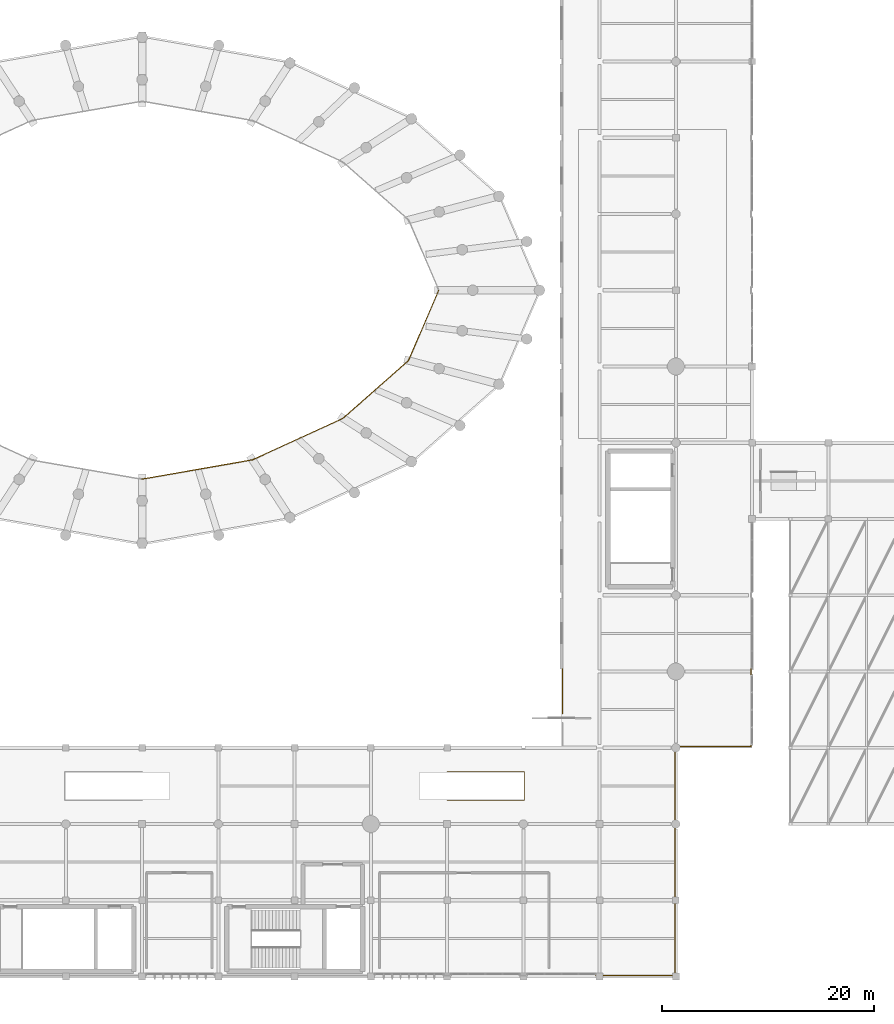
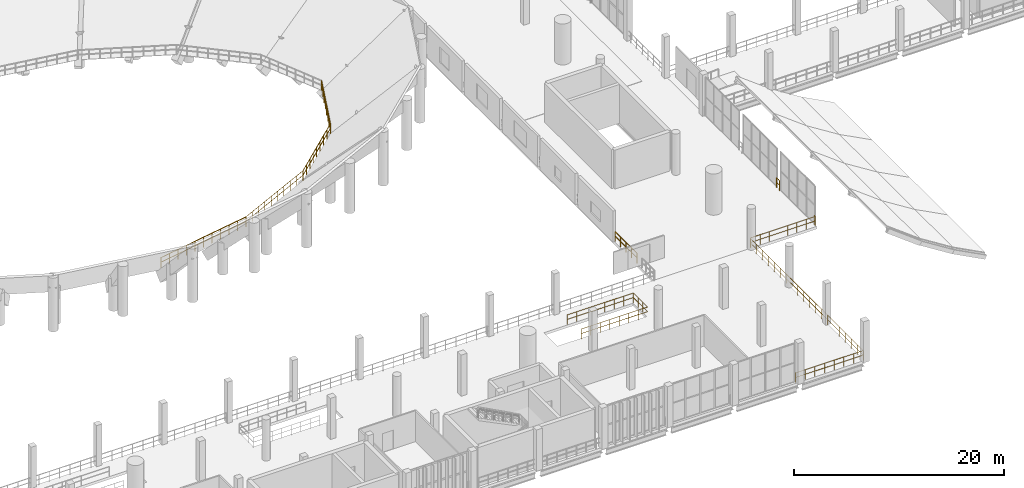
# One storey, part 95 of 105: 8 railings.
"""IFC4 building model written with IfcOpenShell, lengths in metres."""

from ifc_helpers import new_model, si_unit, direction, frame, origin, origin_2d, place, context, subcontext, project, spatial, circle, extrude, material, type_object, element, save


model = new_model("IFC4")

# Units and contexts
model_context = context("Model", 3, precision=1e-05, world=origin(), true_north=direction((0.0, 1.0)))
body_context = subcontext(model_context, "Body", "Model", "MODEL_VIEW")
ifc_project = project(units=[si_unit("LENGTHUNIT", "METRE"), si_unit("AREAUNIT", "SQUARE_METRE"), si_unit("VOLUMEUNIT", "CUBIC_METRE"), si_unit("PLANEANGLEUNIT", "RADIAN"), si_unit("MASSUNIT", "GRAM", prefix="KILO")], contexts=[model_context])

# Site, building, storey
site_placement = place(None, origin())
site = spatial("IfcSite", under=ifc_project, at=site_placement, CompositionType="ELEMENT")
building_placement = place(site_placement, origin())
building = spatial("IfcBuilding", under=site, at=building_placement, Name="Qandorah Velis Arena", CompositionType="ELEMENT")
storey_placement = place(building_placement, frame((0.0, 0.0, 13.800048828125)))
storey = spatial("IfcBuildingStorey", under=building, at=storey_placement, Name="L03", CompositionType="ELEMENT", Elevation=13.800048828125)

# Railings
ifc_material = material(Name="Stainless steel 316", Category="steel")
railing_type = type_object("IfcRailingType", Name="ARC-RL-GRD1150", PredefinedType="GUARDRAIL", material=ifc_material)
railing_1_placement = place(storey_placement, frame((93.60009765625, 19.35009765625, 0.0)))
element("IfcRailing", 1, at=railing_1_placement, inside=storey, type_object=railing_type, Name="Vomitory VS11 top well guardrail (L03)", PredefinedType="GUARDRAIL", context=body_context, shape_type="SweptSolid", body=[
    extrude(circle(Radius=0.02392578125, at=origin_2d()), frame((0.0, 0.0, 1.1259765625), z_axis=(1.0, 0.0, 0.0), x_axis=(0.0, 1.0, 0.0)), (0.0, 0.0, 1.0), 7.2998046875),
    extrude(circle(Radius=0.02392578125, at=origin_2d()), frame((0.0, 0.0, 0.597900390625), z_axis=(1.0, 0.0, 0.0), x_axis=(0.0, 1.0, 0.0)), (0.0, 0.0, 1.0), 7.2998046875),
    extrude(circle(Radius=0.02392578125, at=origin_2d()), frame((7.2998046875, 0.0, 1.1259765625), z_axis=(0.0, -1.0, 0.0), x_axis=(1.0, 0.0, 0.0)), (0.0, 0.0, 1.0), 2.7001953125),
    extrude(circle(Radius=0.02392578125, at=origin_2d()), frame((7.2998046875, 0.0, 0.597900390625), z_axis=(0.0, -1.0, 0.0), x_axis=(1.0, 0.0, 0.0)), (0.0, 0.0, 1.0), 2.7001953125),
    extrude(circle(Radius=0.02392578125, at=origin_2d()), frame((7.2998046875, -2.7001953125, 1.1259765625), z_axis=(-1.0, 0.0, 0.0), x_axis=(0.0, -1.0, 0.0)), (0.0, 0.0, 1.0), 7.2998046875),
    extrude(circle(Radius=0.02392578125, at=origin_2d()), frame((7.2998046875, -2.7001953125, 0.597900390625), z_axis=(-1.0, 0.0, 0.0), x_axis=(0.0, -1.0, 0.0)), (0.0, 0.0, 1.0), 7.2998046875),
    extrude(circle(Radius=0.02099609375, at=origin_2d()), origin(), (0.0, 0.0, 1.0), 1.101806640625),
    extrude(circle(Radius=0.02099609375, at=origin_2d()), frame((1.042724609375, 0.0, 0.0)), (0.0, 0.0, 1.0), 1.101806640625),
    extrude(circle(Radius=0.02099609375, at=origin_2d()), frame((2.085693359375, 0.0, 0.0)), (0.0, 0.0, 1.0), 1.101806640625),
    extrude(circle(Radius=0.02099609375, at=origin_2d()), frame((3.12841796875, 0.0, 0.0)), (0.0, 0.0, 1.0), 1.101806640625),
    extrude(circle(Radius=0.02099609375, at=origin_2d()), frame((4.17138671875, 0.0, 0.0)), (0.0, 0.0, 1.0), 1.101806640625),
    extrude(circle(Radius=0.02099609375, at=origin_2d()), frame((5.214111328125, 0.0, 0.0)), (0.0, 0.0, 1.0), 1.101806640625),
    extrude(circle(Radius=0.02099609375, at=origin_2d()), frame((6.257080078125, 0.0, 0.0)), (0.0, 0.0, 1.0), 1.101806640625),
    extrude(circle(Radius=0.02099609375, at=origin_2d()), frame((7.2998046875, 0.0, 0.0)), (0.0, 0.0, 1.0), 1.101806640625),
    extrude(circle(Radius=0.02099609375, at=origin_2d()), frame((7.2998046875, -0.900146484375, 0.0)), (0.0, 0.0, 1.0), 1.101806640625),
    extrude(circle(Radius=0.02099609375, at=origin_2d()), frame((7.2998046875, -1.800048828125, 0.0)), (0.0, 0.0, 1.0), 1.101806640625),
    extrude(circle(Radius=0.02099609375, at=origin_2d()), frame((7.2998046875, -2.7001953125, 0.0)), (0.0, 0.0, 1.0), 1.101806640625),
    extrude(circle(Radius=0.02099609375, at=origin_2d()), frame((6.257080078125, -2.7001953125, 0.0)), (0.0, 0.0, 1.0), 1.101806640625),
    extrude(circle(Radius=0.02099609375, at=origin_2d()), frame((5.214111328125, -2.7001953125, 0.0)), (0.0, 0.0, 1.0), 1.101806640625),
    extrude(circle(Radius=0.02099609375, at=origin_2d()), frame((4.17138671875, -2.7001953125, 0.0)), (0.0, 0.0, 1.0), 1.101806640625),
    extrude(circle(Radius=0.02099609375, at=origin_2d()), frame((3.12841796875, -2.7001953125, 0.0)), (0.0, 0.0, 1.0), 1.101806640625),
    extrude(circle(Radius=0.02099609375, at=origin_2d()), frame((2.085693359375, -2.7001953125, 0.0)), (0.0, 0.0, 1.0), 1.101806640625),
    extrude(circle(Radius=0.02099609375, at=origin_2d()), frame((1.042724609375, -2.7001953125, 0.0)), (0.0, 0.0, 1.0), 1.101806640625),
    extrude(circle(Radius=0.02099609375, at=origin_2d()), frame((0.0, -2.7001953125, 0.0)), (0.0, 0.0, 1.0), 1.101806640625),
])
railing_2_placement = place(storey_placement, frame((64.800048828125, 46.970947265625, 0.0)))
element("IfcRailing", 2, at=railing_2_placement, inside=storey, type_object=railing_type, Name="Upper seating tier front sightline guardrail 13", PredefinedType="GUARDRAIL", context=body_context, shape_type="SweptSolid", body=[
    extrude(circle(Radius=0.02392578125, at=origin_2d()), frame((0.0, 0.0, 1.1259765625), z_axis=(0.985138286341, 0.1717630833, 0.0), x_axis=(-0.1717630833, 0.985138286341, 0.0)), (0.0, 0.0, 1.0), 10.57373046875),
    extrude(circle(Radius=0.02392578125, at=origin_2d()), frame((0.0, 0.0, 0.597900390625), z_axis=(0.985138286341, 0.1717630833, 0.0), x_axis=(-0.1717630833, 0.985138286341, 0.0)), (0.0, 0.0, 1.0), 10.57373046875),
    extrude(circle(Radius=0.02099609375, at=origin_2d()), origin(), (0.0, 0.0, 1.0), 1.101806640625),
    extrude(circle(Radius=0.02099609375, at=origin_2d()), frame((1.041748046875, 0.181640625, 0.0)), (0.0, 0.0, 1.0), 1.101806640625),
    extrude(circle(Radius=0.02099609375, at=origin_2d()), frame((2.083251953125, 0.36328125, 0.0)), (0.0, 0.0, 1.0), 1.101806640625),
    extrude(circle(Radius=0.02099609375, at=origin_2d()), frame((3.125, 0.544921875, 0.0)), (0.0, 0.0, 1.0), 1.101806640625),
    extrude(circle(Radius=0.02099609375, at=origin_2d()), frame((4.16650390625, 0.7265625, 0.0)), (0.0, 0.0, 1.0), 1.101806640625),
    extrude(circle(Radius=0.02099609375, at=origin_2d()), frame((5.208251953125, 0.908203125, 0.0)), (0.0, 0.0, 1.0), 1.101806640625),
    extrude(circle(Radius=0.02099609375, at=origin_2d()), frame((6.25, 1.089599609375, 0.0)), (0.0, 0.0, 1.0), 1.101806640625),
    extrude(circle(Radius=0.02099609375, at=origin_2d()), frame((7.29150390625, 1.271240234375, 0.0)), (0.0, 0.0, 1.0), 1.101806640625),
    extrude(circle(Radius=0.02099609375, at=origin_2d()), frame((8.333251953125, 1.452880859375, 0.0)), (0.0, 0.0, 1.0), 1.101806640625),
    extrude(circle(Radius=0.02099609375, at=origin_2d()), frame((9.374755859375, 1.634521484375, 0.0)), (0.0, 0.0, 1.0), 1.101806640625),
    extrude(circle(Radius=0.02099609375, at=origin_2d()), frame((10.41650390625, 1.816162109375, 0.0)), (0.0, 0.0, 1.0), 1.101806640625),
])
railing_3_placement = place(storey_placement, frame((75.216552734375, 48.787109375, 0.0)))
element("IfcRailing", 3, at=railing_3_placement, inside=storey, type_object=railing_type, Name="Upper seating tier front sightline guardrail 14", PredefinedType="GUARDRAIL", context=body_context, shape_type="SweptSolid", body=[
    extrude(circle(Radius=0.02392578125, at=origin_2d()), frame((0.0, 0.0, 1.1259765625), z_axis=(0.90885322528, 0.417116068856, 0.0), x_axis=(-0.417116068856, 0.90885322528, 0.0)), (0.0, 0.0, 1.0), 9.41943359375),
    extrude(circle(Radius=0.02392578125, at=origin_2d()), frame((0.0, 0.0, 0.597900390625), z_axis=(0.90885322528, 0.417116068856, 0.0), x_axis=(-0.417116068856, 0.90885322528, 0.0)), (0.0, 0.0, 1.0), 9.41943359375),
    extrude(circle(Radius=0.02099609375, at=origin_2d()), origin(), (0.0, 0.0, 1.0), 1.101806640625),
    extrude(circle(Radius=0.02099609375, at=origin_2d()), frame((0.951171875, 0.4365234375, 0.0)), (0.0, 0.0, 1.0), 1.101806640625),
    extrude(circle(Radius=0.02099609375, at=origin_2d()), frame((1.90234375, 0.873046875, 0.0)), (0.0, 0.0, 1.0), 1.101806640625),
    extrude(circle(Radius=0.02099609375, at=origin_2d()), frame((2.853515625, 1.3095703125, 0.0)), (0.0, 0.0, 1.0), 1.101806640625),
    extrude(circle(Radius=0.02099609375, at=origin_2d()), frame((3.8046875, 1.74609375, 0.0)), (0.0, 0.0, 1.0), 1.101806640625),
    extrude(circle(Radius=0.02099609375, at=origin_2d()), frame((4.756103515625, 2.182861328125, 0.0)), (0.0, 0.0, 1.0), 1.101806640625),
    extrude(circle(Radius=0.02099609375, at=origin_2d()), frame((5.707275390625, 2.619384765625, 0.0)), (0.0, 0.0, 1.0), 1.101806640625),
    extrude(circle(Radius=0.02099609375, at=origin_2d()), frame((6.658447265625, 3.055908203125, 0.0)), (0.0, 0.0, 1.0), 1.101806640625),
    extrude(circle(Radius=0.02099609375, at=origin_2d()), frame((7.609619140625, 3.492431640625, 0.0)), (0.0, 0.0, 1.0), 1.101806640625),
    extrude(circle(Radius=0.02099609375, at=origin_2d()), frame((8.560791015625, 3.928955078125, 0.0)), (0.0, 0.0, 1.0), 1.101806640625),
])
railing_4_placement = place(storey_placement, frame((83.77734375, 52.716064453125, 0.0)))
element("IfcRailing", 4, at=railing_4_placement, inside=storey, type_object=railing_type, Name="Upper seating tier front sightline guardrail 15", PredefinedType="GUARDRAIL", context=body_context, shape_type="SweptSolid", body=[
    extrude(circle(Radius=0.02392578125, at=origin_2d()), frame((0.0, 0.0, 1.1259765625), z_axis=(0.749447464316, 0.662063817339, 0.0), x_axis=(-0.662063817339, 0.749447464316, 0.0)), (0.0, 0.0, 1.0), 8.233642578125),
    extrude(circle(Radius=0.02392578125, at=origin_2d()), frame((0.0, 0.0, 0.597900390625), z_axis=(0.749447464316, 0.662063817339, 0.0), x_axis=(-0.662063817339, 0.749447464316, 0.0)), (0.0, 0.0, 1.0), 8.233642578125),
    extrude(circle(Radius=0.02099609375, at=origin_2d()), origin(), (0.0, 0.0, 1.0), 1.101806640625),
    extrude(circle(Radius=0.02099609375, at=origin_2d()), frame((0.771240234375, 0.681396484375, 0.0)), (0.0, 0.0, 1.0), 1.101806640625),
    extrude(circle(Radius=0.02099609375, at=origin_2d()), frame((1.542724609375, 1.36279296875, 0.0)), (0.0, 0.0, 1.0), 1.101806640625),
    extrude(circle(Radius=0.02099609375, at=origin_2d()), frame((2.31396484375, 2.044189453125, 0.0)), (0.0, 0.0, 1.0), 1.101806640625),
    extrude(circle(Radius=0.02099609375, at=origin_2d()), frame((3.08544921875, 2.7255859375, 0.0)), (0.0, 0.0, 1.0), 1.101806640625),
    extrude(circle(Radius=0.02099609375, at=origin_2d()), frame((3.856689453125, 3.406982421875, 0.0)), (0.0, 0.0, 1.0), 1.101806640625),
    extrude(circle(Radius=0.02099609375, at=origin_2d()), frame((4.6279296875, 4.08837890625, 0.0)), (0.0, 0.0, 1.0), 1.101806640625),
    extrude(circle(Radius=0.02099609375, at=origin_2d()), frame((5.3994140625, 4.769775390625, 0.0)), (0.0, 0.0, 1.0), 1.101806640625),
    extrude(circle(Radius=0.02099609375, at=origin_2d()), frame((6.170654296875, 5.451171875, 0.0)), (0.0, 0.0, 1.0), 1.101806640625),
])
railing_5_placement = place(storey_placement, frame((89.947998046875, 58.167236328125, 0.0)))
element("IfcRailing", 5, at=railing_5_placement, inside=storey, type_object=railing_type, Name="Upper seating tier front sightline guardrail 16", PredefinedType="GUARDRAIL", context=body_context, shape_type="SweptSolid", body=[
    extrude(circle(Radius=0.02392578125, at=origin_2d()), frame((0.0, 0.0, 1.1259765625), z_axis=(0.395020901566, 0.91867213266, 0.0), x_axis=(-0.91867213266, 0.395020901566, 0.0)), (0.0, 0.0, 1.0), 7.219970703125),
    extrude(circle(Radius=0.02392578125, at=origin_2d()), frame((0.0, 0.0, 0.597900390625), z_axis=(0.395020901566, 0.91867213266, 0.0), x_axis=(-0.91867213266, 0.395020901566, 0.0)), (0.0, 0.0, 1.0), 7.219970703125),
    extrude(circle(Radius=0.02099609375, at=origin_2d()), origin(), (0.0, 0.0, 1.0), 1.101806640625),
    extrude(circle(Radius=0.02099609375, at=origin_2d()), frame((0.407470703125, 0.947509765625, 0.0)), (0.0, 0.0, 1.0), 1.101806640625),
    extrude(circle(Radius=0.02099609375, at=origin_2d()), frame((0.81494140625, 1.89501953125, 0.0)), (0.0, 0.0, 1.0), 1.101806640625),
    extrude(circle(Radius=0.02099609375, at=origin_2d()), frame((1.222412109375, 2.842529296875, 0.0)), (0.0, 0.0, 1.0), 1.101806640625),
    extrude(circle(Radius=0.02099609375, at=origin_2d()), frame((1.629638671875, 3.790283203125, 0.0)), (0.0, 0.0, 1.0), 1.101806640625),
    extrude(circle(Radius=0.02099609375, at=origin_2d()), frame((2.037109375, 4.73779296875, 0.0)), (0.0, 0.0, 1.0), 1.101806640625),
    extrude(circle(Radius=0.02099609375, at=origin_2d()), frame((2.444580078125, 5.685302734375, 0.0)), (0.0, 0.0, 1.0), 1.101806640625),
    extrude(circle(Radius=0.02099609375, at=origin_2d()), frame((2.85205078125, 6.6328125, 0.0)), (0.0, 0.0, 1.0), 1.101806640625),
])
railing_6_placement = place(storey_placement, frame((122.300048828125, 29.10009765625, 0.0)))
element("IfcRailing", 6, at=railing_6_placement, inside=storey, type_object=railing_type, Name="Slab edge safety guardrail L03-204", PredefinedType="GUARDRAIL", context=body_context, shape_type="SweptSolid", body=[
    extrude(circle(Radius=0.02392578125, at=origin_2d()), frame((0.0, 0.0, 1.1259765625), z_axis=(0.0, -1.0, 0.0), x_axis=(1.0, 0.0, 0.0)), (0.0, 0.0, 1.0), 0.60009765625),
    extrude(circle(Radius=0.02392578125, at=origin_2d()), frame((0.0, 0.0, 0.597900390625), z_axis=(0.0, -1.0, 0.0), x_axis=(1.0, 0.0, 0.0)), (0.0, 0.0, 1.0), 0.60009765625),
    extrude(circle(Radius=0.02099609375, at=origin_2d()), origin(), (0.0, 0.0, 1.0), 1.101806640625),
    extrude(circle(Radius=0.02099609375, at=origin_2d()), frame((0.0, -0.60009765625, 0.0)), (0.0, 0.0, 1.0), 1.101806640625),
])
railing_7_placement = place(storey_placement, frame((122.300048828125, 21.89990234375, 0.0)))
element("IfcRailing", 7, at=railing_7_placement, inside=storey, type_object=railing_type, Name="Slab edge safety guardrail L03-205", PredefinedType="GUARDRAIL", context=body_context, shape_type="SweptSolid", body=[
    extrude(circle(Radius=0.02392578125, at=origin_2d()), frame((0.0, 0.0, 1.1259765625), z_axis=(0.0, -1.0, 0.0), x_axis=(1.0, 0.0, 0.0)), (0.0, 0.0, 1.0), 0.199951171875),
    extrude(circle(Radius=0.02392578125, at=origin_2d()), frame((0.0, 0.0, 0.597900390625), z_axis=(0.0, -1.0, 0.0), x_axis=(1.0, 0.0, 0.0)), (0.0, 0.0, 1.0), 0.199951171875),
    extrude(circle(Radius=0.02392578125, at=origin_2d()), frame((0.0, -0.199951171875, 1.1259765625), z_axis=(-1.0, 0.0, 0.0), x_axis=(0.0, -1.0, 0.0)), (0.0, 0.0, 1.0), 7.10009765625),
    extrude(circle(Radius=0.02392578125, at=origin_2d()), frame((0.0, -0.199951171875, 0.597900390625), z_axis=(-1.0, 0.0, 0.0), x_axis=(0.0, -1.0, 0.0)), (0.0, 0.0, 1.0), 7.10009765625),
    extrude(circle(Radius=0.02392578125, at=origin_2d()), frame((-7.10009765625, -0.199951171875, 1.1259765625), z_axis=(-0.772928297309, -0.634493378388, 0.0), x_axis=(0.634493378388, -0.772928297309, 0.0)), (0.0, 0.0, 1.0), 0.126953125),
    extrude(circle(Radius=0.02392578125, at=origin_2d()), frame((-7.10009765625, -0.199951171875, 0.597900390625), z_axis=(-0.772928297309, -0.634493378388, 0.0), x_axis=(0.634493378388, -0.772928297309, 0.0)), (0.0, 0.0, 1.0), 0.126953125),
    extrude(circle(Radius=0.02392578125, at=origin_2d()), frame((-7.1982421875, -0.280517578125, 1.1259765625), z_axis=(-7.9416403e-05, -0.999999996847, 0.0), x_axis=(0.999999996847, -7.9416403e-05, 0.0)), (0.0, 0.0, 1.0), 21.519287109375),
    extrude(circle(Radius=0.02392578125, at=origin_2d()), frame((-7.1982421875, -0.280517578125, 0.597900390625), z_axis=(-7.9416403e-05, -0.999999996847, 0.0), x_axis=(0.999999996847, -7.9416403e-05, 0.0)), (0.0, 0.0, 1.0), 21.519287109375),
    extrude(circle(Radius=0.02392578125, at=origin_2d()), frame((-7.199951171875, -21.7998046875, 1.1259765625), z_axis=(-1.0, 0.0, 0.0), x_axis=(0.0, -1.0, 0.0)), (0.0, 0.0, 1.0), 7.4501953125),
    extrude(circle(Radius=0.02392578125, at=origin_2d()), frame((-7.199951171875, -21.7998046875, 0.597900390625), z_axis=(-1.0, 0.0, 0.0), x_axis=(0.0, -1.0, 0.0)), (0.0, 0.0, 1.0), 7.4501953125),
    extrude(circle(Radius=0.02099609375, at=origin_2d()), origin(), (0.0, 0.0, 1.0), 1.101806640625),
    extrude(circle(Radius=0.02099609375, at=origin_2d()), frame((0.0, -0.199951171875, 0.0)), (0.0, 0.0, 1.0), 1.101806640625),
    extrude(circle(Radius=0.02099609375, at=origin_2d()), frame((-1.014404296875, -0.199951171875, 0.0)), (0.0, 0.0, 1.0), 1.101806640625),
    extrude(circle(Radius=0.02099609375, at=origin_2d()), frame((-2.028564453125, -0.199951171875, 0.0)), (0.0, 0.0, 1.0), 1.101806640625),
    extrude(circle(Radius=0.02099609375, at=origin_2d()), frame((-3.04296875, -0.199951171875, 0.0)), (0.0, 0.0, 1.0), 1.101806640625),
    extrude(circle(Radius=0.02099609375, at=origin_2d()), frame((-4.05712890625, -0.199951171875, 0.0)), (0.0, 0.0, 1.0), 1.101806640625),
    extrude(circle(Radius=0.02099609375, at=origin_2d()), frame((-5.071533203125, -0.199951171875, 0.0)), (0.0, 0.0, 1.0), 1.101806640625),
    extrude(circle(Radius=0.02099609375, at=origin_2d()), frame((-6.085693359375, -0.199951171875, 0.0)), (0.0, 0.0, 1.0), 1.101806640625),
    extrude(circle(Radius=0.02099609375, at=origin_2d()), frame((-7.10009765625, -0.199951171875, 0.0)), (0.0, 0.0, 1.0), 1.101806640625),
    extrude(circle(Radius=0.02099609375, at=origin_2d()), frame((-7.1982421875, -0.280517578125, 0.0)), (0.0, 0.0, 1.0), 1.101806640625),
    extrude(circle(Radius=0.02099609375, at=origin_2d()), frame((-7.1982421875, -1.4130859375, 0.0)), (0.0, 0.0, 1.0), 1.101806640625),
    extrude(circle(Radius=0.02099609375, at=origin_2d()), frame((-7.198486328125, -2.545654296875, 0.0)), (0.0, 0.0, 1.0), 1.101806640625),
    extrude(circle(Radius=0.02099609375, at=origin_2d()), frame((-7.198486328125, -3.67822265625, 0.0)), (0.0, 0.0, 1.0), 1.101806640625),
    extrude(circle(Radius=0.02099609375, at=origin_2d()), frame((-7.198486328125, -4.810791015625, 0.0)), (0.0, 0.0, 1.0), 1.101806640625),
    extrude(circle(Radius=0.02099609375, at=origin_2d()), frame((-7.19873046875, -5.943603515625, 0.0)), (0.0, 0.0, 1.0), 1.101806640625),
    extrude(circle(Radius=0.02099609375, at=origin_2d()), frame((-7.19873046875, -7.076171875, 0.0)), (0.0, 0.0, 1.0), 1.101806640625),
    extrude(circle(Radius=0.02099609375, at=origin_2d()), frame((-7.198974609375, -8.208740234375, 0.0)), (0.0, 0.0, 1.0), 1.101806640625),
    extrude(circle(Radius=0.02099609375, at=origin_2d()), frame((-7.198974609375, -9.34130859375, 0.0)), (0.0, 0.0, 1.0), 1.101806640625),
    extrude(circle(Radius=0.02099609375, at=origin_2d()), frame((-7.198974609375, -10.473876953125, 0.0)), (0.0, 0.0, 1.0), 1.101806640625),
    extrude(circle(Radius=0.02099609375, at=origin_2d()), frame((-7.19921875, -11.6064453125, 0.0)), (0.0, 0.0, 1.0), 1.101806640625),
    extrude(circle(Radius=0.02099609375, at=origin_2d()), frame((-7.19921875, -12.739013671875, 0.0)), (0.0, 0.0, 1.0), 1.101806640625),
    extrude(circle(Radius=0.02099609375, at=origin_2d()), frame((-7.19921875, -13.87158203125, 0.0)), (0.0, 0.0, 1.0), 1.101806640625),
    extrude(circle(Radius=0.02099609375, at=origin_2d()), frame((-7.199462890625, -15.004150390625, 0.0)), (0.0, 0.0, 1.0), 1.101806640625),
    extrude(circle(Radius=0.02099609375, at=origin_2d()), frame((-7.199462890625, -16.13671875, 0.0)), (0.0, 0.0, 1.0), 1.101806640625),
    extrude(circle(Radius=0.02099609375, at=origin_2d()), frame((-7.19970703125, -17.26953125, 0.0)), (0.0, 0.0, 1.0), 1.101806640625),
    extrude(circle(Radius=0.02099609375, at=origin_2d()), frame((-7.19970703125, -18.402099609375, 0.0)), (0.0, 0.0, 1.0), 1.101806640625),
    extrude(circle(Radius=0.02099609375, at=origin_2d()), frame((-7.19970703125, -19.53466796875, 0.0)), (0.0, 0.0, 1.0), 1.101806640625),
    extrude(circle(Radius=0.02099609375, at=origin_2d()), frame((-7.199951171875, -20.667236328125, 0.0)), (0.0, 0.0, 1.0), 1.101806640625),
    extrude(circle(Radius=0.02099609375, at=origin_2d()), frame((-7.199951171875, -21.7998046875, 0.0)), (0.0, 0.0, 1.0), 1.101806640625),
    extrude(circle(Radius=0.02099609375, at=origin_2d()), frame((-8.26416015625, -21.7998046875, 0.0)), (0.0, 0.0, 1.0), 1.101806640625),
    extrude(circle(Radius=0.02099609375, at=origin_2d()), frame((-9.32861328125, -21.7998046875, 0.0)), (0.0, 0.0, 1.0), 1.101806640625),
    extrude(circle(Radius=0.02099609375, at=origin_2d()), frame((-10.392822265625, -21.7998046875, 0.0)), (0.0, 0.0, 1.0), 1.101806640625),
    extrude(circle(Radius=0.02099609375, at=origin_2d()), frame((-11.457275390625, -21.7998046875, 0.0)), (0.0, 0.0, 1.0), 1.101806640625),
    extrude(circle(Radius=0.02099609375, at=origin_2d()), frame((-12.521484375, -21.7998046875, 0.0)), (0.0, 0.0, 1.0), 1.101806640625),
    extrude(circle(Radius=0.02099609375, at=origin_2d()), frame((-13.5859375, -21.7998046875, 0.0)), (0.0, 0.0, 1.0), 1.101806640625),
    extrude(circle(Radius=0.02099609375, at=origin_2d()), frame((-14.650146484375, -21.7998046875, 0.0)), (0.0, 0.0, 1.0), 1.101806640625),
])
railing_8_placement = place(storey_placement, frame((104.5, 24.85009765625, 0.0)))
element("IfcRailing", 8, at=railing_8_placement, inside=storey, type_object=railing_type, Name="Slab edge safety guardrail L03-212", PredefinedType="GUARDRAIL", context=body_context, shape_type="SweptSolid", body=[
    extrude(circle(Radius=0.02392578125, at=origin_2d()), frame((0.0, 0.0, 1.1259765625), z_axis=(0.0, 1.0, 0.0), x_axis=(-1.0, 0.0, 0.0)), (0.0, 0.0, 1.0), 4.199951171875),
    extrude(circle(Radius=0.02392578125, at=origin_2d()), frame((0.0, 0.0, 0.597900390625), z_axis=(0.0, 1.0, 0.0), x_axis=(-1.0, 0.0, 0.0)), (0.0, 0.0, 1.0), 4.199951171875),
    extrude(circle(Radius=0.02099609375, at=origin_2d()), origin(), (0.0, 0.0, 1.0), 1.101806640625),
    extrude(circle(Radius=0.02099609375, at=origin_2d()), frame((0.0, 1.050048828125, 0.0)), (0.0, 0.0, 1.0), 1.101806640625),
    extrude(circle(Radius=0.02099609375, at=origin_2d()), frame((0.0, 2.10009765625, 0.0)), (0.0, 0.0, 1.0), 1.101806640625),
    extrude(circle(Radius=0.02099609375, at=origin_2d()), frame((0.0, 3.14990234375, 0.0)), (0.0, 0.0, 1.0), 1.101806640625),
    extrude(circle(Radius=0.02099609375, at=origin_2d()), frame((0.0, 4.199951171875, 0.0)), (0.0, 0.0, 1.0), 1.101806640625),
])

save(model, "model.ifc")
